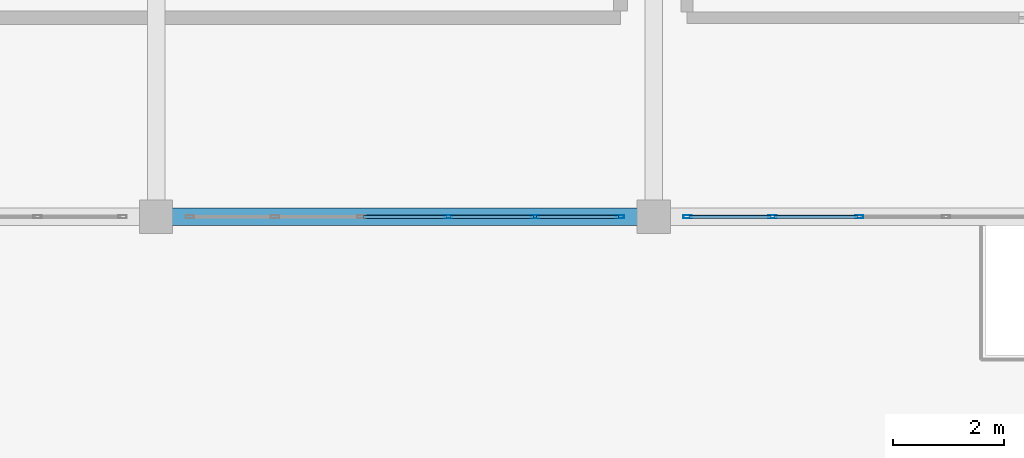
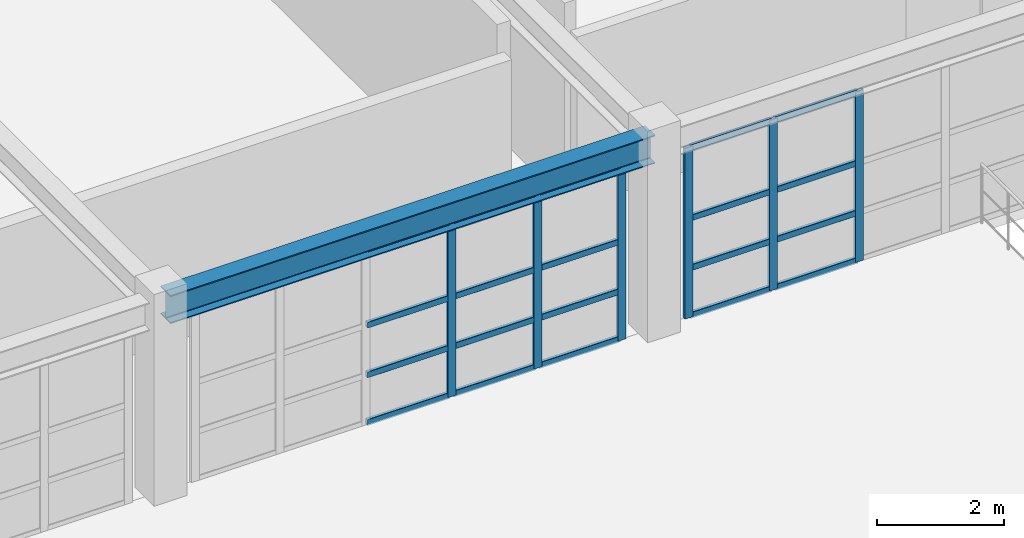
# One storey, part 52 of 80: 26 members, 1 beam, 2 elements without a shape of their own.
"""IFC4 building model written with IfcOpenShell, lengths in metres."""

from ifc_helpers import new_model, si_unit, direction, frame, origin, origin_2d, place, context, subcontext, project, spatial, hollow_rectangle, i_section, extrude, material, material_profile, profile_set, type_object, element, aggregate, save


model = new_model("IFC4")

# Units and contexts
model_context = context("Model", 3, precision=1e-05, world=origin(), true_north=direction((0.0, 1.0)))
body_context = subcontext(model_context, "Body", "Model", "MODEL_VIEW")
ifc_project = project(units=[si_unit("LENGTHUNIT", "METRE"), si_unit("AREAUNIT", "SQUARE_METRE"), si_unit("VOLUMEUNIT", "CUBIC_METRE"), si_unit("PLANEANGLEUNIT", "RADIAN"), si_unit("MASSUNIT", "GRAM", prefix="KILO")], contexts=[model_context])

# Site, building, storey
site_placement = place(None, origin())
site = spatial("IfcSite", under=ifc_project, at=site_placement, CompositionType="ELEMENT")
building_placement = place(site_placement, origin())
building = spatial("IfcBuilding", under=site, at=building_placement, Name="Miravela Opera House", CompositionType="ELEMENT")
storey_placement = place(building_placement, frame((0.0, 0.0, 17.679931640625)))
storey = spatial("IfcBuildingStorey", under=building, at=storey_placement, Name="L04", CompositionType="ELEMENT", Elevation=17.679931640625)

# Curtain wall, members
ifc_material_1 = material(Name="Anodised architectural bronze aluminium 6063-T6", Category="aluminium")
curtain_wall_type = type_object("IfcCurtainWallType", Name="ARC-CW-08", PredefinedType="NOTDEFINED", material=ifc_material_1)
curtain_wall_1_placement = place(storey_placement, origin())
curtain_wall_1 = element("IfcCurtainWall", 1, at=curtain_wall_1_placement, inside=storey, type_object=curtain_wall_type, Name="Courtyard Arcade Curtain Wall CW-L04-205", PredefinedType="NOTDEFINED")
ifc_material_profile_1 = material_profile(ifc_material_1, hollow_rectangle(XDim=0.06005859375, YDim=0.14990234375, WallThickness=0.00390625, InnerFilletRadius=0.001953125, OuterFilletRadius=0.00390625, at=origin_2d()), Name="CWM-60X150")
ifc_profile_set_1 = profile_set([ifc_material_profile_1])
member_type_1 = type_object("IfcMemberType", Name="ARC-CWM-150", PredefinedType="MULLION", material=ifc_profile_set_1)
member_1_placement = place(storey_placement, frame((95.283935546875, 94.0, 0.0), z_axis=(0.0, 0.0, 1.0), x_axis=(0.0, 1.0, 0.0)))
member_1 = element("IfcMember", 2, at=member_1_placement, type_object=member_type_1, Name="CW-08 mullion 4", PredefinedType="MULLION", context=body_context, shape_type="SweptSolid", body=[
    extrude(hollow_rectangle(XDim=0.06005859375, YDim=0.14990234375, WallThickness=0.00390625, InnerFilletRadius=0.001953125, OuterFilletRadius=0.00390625, at=origin_2d()), origin(), (0.0, 0.0, 1.0), 3.2900390625),
])
member_2_placement = place(storey_placement, frame((96.85205078125, 94.0, 0.0), z_axis=(0.0, 0.0, 1.0), x_axis=(0.0, 1.0, 0.0)))
member_2 = element("IfcMember", 3, at=member_2_placement, type_object=member_type_1, Name="CW-08 mullion 5", PredefinedType="MULLION", context=body_context, shape_type="SweptSolid", body=[
    extrude(hollow_rectangle(XDim=0.06005859375, YDim=0.14990234375, WallThickness=0.00390625, InnerFilletRadius=0.001953125, OuterFilletRadius=0.00390625, at=origin_2d()), origin(), (0.0, 0.0, 1.0), 3.2900390625),
])
member_3_placement = place(storey_placement, frame((98.389892578125, 94.0, 0.0), z_axis=(0.0, 0.0, 1.0), x_axis=(0.0, 1.0, 0.0)))
member_3 = element("IfcMember", 4, at=member_3_placement, type_object=member_type_1, Name="CW-08 mullion 6", PredefinedType="MULLION", context=body_context, shape_type="SweptSolid", body=[
    extrude(hollow_rectangle(XDim=0.06005859375, YDim=0.14990234375, WallThickness=0.00390625, InnerFilletRadius=0.001953125, OuterFilletRadius=0.00390625, at=origin_2d()), origin(), (0.0, 0.0, 1.0), 3.2900390625),
])

curtain_wall_2_placement = place(storey_placement, origin())
curtain_wall_2 = element("IfcCurtainWall", 5, at=curtain_wall_2_placement, inside=storey, type_object=curtain_wall_type, Name="Courtyard Arcade Curtain Wall CW-L04-206", PredefinedType="NOTDEFINED")
member_4_placement = place(storey_placement, frame((99.610107421875, 94.0, 0.0), z_axis=(0.0, 0.0, 1.0), x_axis=(0.0, 1.0, 0.0)))
member_4 = element("IfcMember", 6, at=member_4_placement, type_object=member_type_1, Name="CW-08 mullion 1", PredefinedType="MULLION", context=body_context, shape_type="SweptSolid", body=[
    extrude(hollow_rectangle(XDim=0.06005859375, YDim=0.14990234375, WallThickness=0.00390625, InnerFilletRadius=0.001953125, OuterFilletRadius=0.00390625, at=origin_2d()), origin(), (0.0, 0.0, 1.0), 3.2900390625),
])
member_5_placement = place(storey_placement, frame((101.14794921875, 94.0, 0.0), z_axis=(0.0, 0.0, 1.0), x_axis=(0.0, 1.0, 0.0)))
member_5 = element("IfcMember", 7, at=member_5_placement, type_object=member_type_1, Name="CW-08 mullion 2", PredefinedType="MULLION", context=body_context, shape_type="SweptSolid", body=[
    extrude(hollow_rectangle(XDim=0.06005859375, YDim=0.14990234375, WallThickness=0.00390625, InnerFilletRadius=0.001953125, OuterFilletRadius=0.00390625, at=origin_2d()), origin(), (0.0, 0.0, 1.0), 3.2900390625),
])
member_6_placement = place(storey_placement, frame((102.716064453125, 94.0, 0.0), z_axis=(0.0, 0.0, 1.0), x_axis=(0.0, 1.0, 0.0)))
member_6 = element("IfcMember", 8, at=member_6_placement, type_object=member_type_1, Name="CW-08 mullion 3", PredefinedType="MULLION", context=body_context, shape_type="SweptSolid", body=[
    extrude(hollow_rectangle(XDim=0.06005859375, YDim=0.14990234375, WallThickness=0.00390625, InnerFilletRadius=0.001953125, OuterFilletRadius=0.00390625, at=origin_2d()), origin(), (0.0, 0.0, 1.0), 3.2900390625),
])

# Member
ifc_material_profile_2 = material_profile(ifc_material_1, hollow_rectangle(XDim=0.06005859375, YDim=0.114990234375, WallThickness=0.00390625, InnerFilletRadius=0.001953125, OuterFilletRadius=0.00390625, at=origin_2d()), Name="CWT-60X115")
ifc_profile_set_2 = profile_set([ifc_material_profile_2])
member_type_2 = type_object("IfcMemberType", Name="ARC-CWT-115", PredefinedType="USERDEFINED", material=ifc_profile_set_2)
member_7_placement = place(storey_placement, frame((93.74609375, 94.0, 0.030029296875), z_axis=(1.0, 0.0, 0.0), x_axis=(0.0, 1.0, 0.0)))
member_7 = element("IfcMember", 9, at=member_7_placement, type_object=member_type_2, Name="CW-08 transom 3.1", ObjectType="TRANSOM", PredefinedType="USERDEFINED", context=body_context, shape_type="SweptSolid", body=[
    extrude(hollow_rectangle(XDim=0.06005859375, YDim=0.114990234375, WallThickness=0.00390625, InnerFilletRadius=0.001953125, OuterFilletRadius=0.00390625, at=origin_2d()), origin(), (0.0, 0.0, 1.0), 1.5078125),
])

member_8_placement = place(storey_placement, frame((93.74609375, 94.0, 0.949951171875), z_axis=(1.0, 0.0, 0.0), x_axis=(0.0, 1.0, 0.0)))
member_8 = element("IfcMember", 10, at=member_8_placement, type_object=member_type_2, Name="CW-08 transom 3.2", ObjectType="TRANSOM", PredefinedType="USERDEFINED", context=body_context, shape_type="SweptSolid", body=[
    extrude(hollow_rectangle(XDim=0.06005859375, YDim=0.114990234375, WallThickness=0.00390625, InnerFilletRadius=0.001953125, OuterFilletRadius=0.00390625, at=origin_2d()), origin(), (0.0, 0.0, 1.0), 1.5078125),
])

member_9_placement = place(storey_placement, frame((93.74609375, 94.0, 1.908203125), z_axis=(1.0, 0.0, 0.0), x_axis=(0.0, 1.0, 0.0)))
member_9 = element("IfcMember", 11, at=member_9_placement, type_object=member_type_2, Name="CW-08 transom 3.3", ObjectType="TRANSOM", PredefinedType="USERDEFINED", context=body_context, shape_type="SweptSolid", body=[
    extrude(hollow_rectangle(XDim=0.06005859375, YDim=0.114990234375, WallThickness=0.00390625, InnerFilletRadius=0.001953125, OuterFilletRadius=0.00390625, at=origin_2d()), origin(), (0.0, 0.0, 1.0), 1.5078125),
])

member_10_placement = place(storey_placement, frame((93.74609375, 94.0, 3.260009765625), z_axis=(1.0, 0.0, 0.0), x_axis=(0.0, 1.0, 0.0)))
member_10 = element("IfcMember", 12, at=member_10_placement, type_object=member_type_2, Name="CW-08 transom 3.4", ObjectType="TRANSOM", PredefinedType="USERDEFINED", context=body_context, shape_type="SweptSolid", body=[
    extrude(hollow_rectangle(XDim=0.06005859375, YDim=0.114990234375, WallThickness=0.00390625, InnerFilletRadius=0.001953125, OuterFilletRadius=0.00390625, at=origin_2d()), origin(), (0.0, 0.0, 1.0), 1.5078125),
])

member_11_placement = place(storey_placement, frame((95.31396484375, 94.0, 0.030029296875), z_axis=(1.0, 0.0, 0.0), x_axis=(0.0, 1.0, 0.0)))
member_11 = element("IfcMember", 13, at=member_11_placement, type_object=member_type_2, Name="CW-08 transom 4.1", ObjectType="TRANSOM", PredefinedType="USERDEFINED", context=body_context, shape_type="SweptSolid", body=[
    extrude(hollow_rectangle(XDim=0.06005859375, YDim=0.114990234375, WallThickness=0.00390625, InnerFilletRadius=0.001953125, OuterFilletRadius=0.00390625, at=origin_2d()), origin(), (0.0, 0.0, 1.0), 1.508056640625),
])

member_12_placement = place(storey_placement, frame((95.31396484375, 94.0, 0.949951171875), z_axis=(1.0, 0.0, 0.0), x_axis=(0.0, 1.0, 0.0)))
member_12 = element("IfcMember", 14, at=member_12_placement, type_object=member_type_2, Name="CW-08 transom 4.2", ObjectType="TRANSOM", PredefinedType="USERDEFINED", context=body_context, shape_type="SweptSolid", body=[
    extrude(hollow_rectangle(XDim=0.06005859375, YDim=0.114990234375, WallThickness=0.00390625, InnerFilletRadius=0.001953125, OuterFilletRadius=0.00390625, at=origin_2d()), origin(), (0.0, 0.0, 1.0), 1.508056640625),
])

member_13_placement = place(storey_placement, frame((95.31396484375, 94.0, 1.908203125), z_axis=(1.0, 0.0, 0.0), x_axis=(0.0, 1.0, 0.0)))
member_13 = element("IfcMember", 15, at=member_13_placement, type_object=member_type_2, Name="CW-08 transom 4.3", ObjectType="TRANSOM", PredefinedType="USERDEFINED", context=body_context, shape_type="SweptSolid", body=[
    extrude(hollow_rectangle(XDim=0.06005859375, YDim=0.114990234375, WallThickness=0.00390625, InnerFilletRadius=0.001953125, OuterFilletRadius=0.00390625, at=origin_2d()), origin(), (0.0, 0.0, 1.0), 1.508056640625),
])

member_14_placement = place(storey_placement, frame((95.31396484375, 94.0, 3.260009765625), z_axis=(1.0, 0.0, 0.0), x_axis=(0.0, 1.0, 0.0)))
member_14 = element("IfcMember", 16, at=member_14_placement, type_object=member_type_2, Name="CW-08 transom 4.4", ObjectType="TRANSOM", PredefinedType="USERDEFINED", context=body_context, shape_type="SweptSolid", body=[
    extrude(hollow_rectangle(XDim=0.06005859375, YDim=0.114990234375, WallThickness=0.00390625, InnerFilletRadius=0.001953125, OuterFilletRadius=0.00390625, at=origin_2d()), origin(), (0.0, 0.0, 1.0), 1.508056640625),
])

member_15_placement = place(storey_placement, frame((96.882080078125, 94.0, 0.030029296875), z_axis=(1.0, 0.0, 0.0), x_axis=(0.0, 1.0, 0.0)))
member_15 = element("IfcMember", 17, at=member_15_placement, type_object=member_type_2, Name="CW-08 transom 5.1", ObjectType="TRANSOM", PredefinedType="USERDEFINED", context=body_context, shape_type="SweptSolid", body=[
    extrude(hollow_rectangle(XDim=0.06005859375, YDim=0.114990234375, WallThickness=0.00390625, InnerFilletRadius=0.001953125, OuterFilletRadius=0.00390625, at=origin_2d()), origin(), (0.0, 0.0, 1.0), 1.47802734375),
])

member_16_placement = place(storey_placement, frame((96.882080078125, 94.0, 0.949951171875), z_axis=(1.0, 0.0, 0.0), x_axis=(0.0, 1.0, 0.0)))
member_16 = element("IfcMember", 18, at=member_16_placement, type_object=member_type_2, Name="CW-08 transom 5.2", ObjectType="TRANSOM", PredefinedType="USERDEFINED", context=body_context, shape_type="SweptSolid", body=[
    extrude(hollow_rectangle(XDim=0.06005859375, YDim=0.114990234375, WallThickness=0.00390625, InnerFilletRadius=0.001953125, OuterFilletRadius=0.00390625, at=origin_2d()), origin(), (0.0, 0.0, 1.0), 1.47802734375),
])

member_17_placement = place(storey_placement, frame((96.882080078125, 94.0, 1.908203125), z_axis=(1.0, 0.0, 0.0), x_axis=(0.0, 1.0, 0.0)))
member_17 = element("IfcMember", 19, at=member_17_placement, type_object=member_type_2, Name="CW-08 transom 5.3", ObjectType="TRANSOM", PredefinedType="USERDEFINED", context=body_context, shape_type="SweptSolid", body=[
    extrude(hollow_rectangle(XDim=0.06005859375, YDim=0.114990234375, WallThickness=0.00390625, InnerFilletRadius=0.001953125, OuterFilletRadius=0.00390625, at=origin_2d()), origin(), (0.0, 0.0, 1.0), 1.47802734375),
])

member_18_placement = place(storey_placement, frame((96.882080078125, 94.0, 3.260009765625), z_axis=(1.0, 0.0, 0.0), x_axis=(0.0, 1.0, 0.0)))
member_18 = element("IfcMember", 20, at=member_18_placement, type_object=member_type_2, Name="CW-08 transom 5.4", ObjectType="TRANSOM", PredefinedType="USERDEFINED", context=body_context, shape_type="SweptSolid", body=[
    extrude(hollow_rectangle(XDim=0.06005859375, YDim=0.114990234375, WallThickness=0.00390625, InnerFilletRadius=0.001953125, OuterFilletRadius=0.00390625, at=origin_2d()), origin(), (0.0, 0.0, 1.0), 1.47802734375),
])

aggregate(curtain_wall_1, [member_1, member_2, member_3, member_7, member_8, member_9, member_10, member_11, member_12, member_13, member_14, member_15, member_16, member_17, member_18])

member_19_placement = place(storey_placement, frame((99.639892578125, 94.0, 0.030029296875), z_axis=(1.0, 0.0, 0.0), x_axis=(0.0, 1.0, 0.0)))
member_19 = element("IfcMember", 21, at=member_19_placement, type_object=member_type_2, Name="CW-08 transom 1.1", ObjectType="TRANSOM", PredefinedType="USERDEFINED", context=body_context, shape_type="SweptSolid", body=[
    extrude(hollow_rectangle(XDim=0.06005859375, YDim=0.114990234375, WallThickness=0.00390625, InnerFilletRadius=0.001953125, OuterFilletRadius=0.00390625, at=origin_2d()), origin(), (0.0, 0.0, 1.0), 1.47802734375),
])

member_20_placement = place(storey_placement, frame((99.639892578125, 94.0, 0.949951171875), z_axis=(1.0, 0.0, 0.0), x_axis=(0.0, 1.0, 0.0)))
member_20 = element("IfcMember", 22, at=member_20_placement, type_object=member_type_2, Name="CW-08 transom 1.2", ObjectType="TRANSOM", PredefinedType="USERDEFINED", context=body_context, shape_type="SweptSolid", body=[
    extrude(hollow_rectangle(XDim=0.06005859375, YDim=0.114990234375, WallThickness=0.00390625, InnerFilletRadius=0.001953125, OuterFilletRadius=0.00390625, at=origin_2d()), origin(), (0.0, 0.0, 1.0), 1.47802734375),
])

member_21_placement = place(storey_placement, frame((99.639892578125, 94.0, 1.908203125), z_axis=(1.0, 0.0, 0.0), x_axis=(0.0, 1.0, 0.0)))
member_21 = element("IfcMember", 23, at=member_21_placement, type_object=member_type_2, Name="CW-08 transom 1.3", ObjectType="TRANSOM", PredefinedType="USERDEFINED", context=body_context, shape_type="SweptSolid", body=[
    extrude(hollow_rectangle(XDim=0.06005859375, YDim=0.114990234375, WallThickness=0.00390625, InnerFilletRadius=0.001953125, OuterFilletRadius=0.00390625, at=origin_2d()), origin(), (0.0, 0.0, 1.0), 1.47802734375),
])

member_22_placement = place(storey_placement, frame((99.639892578125, 94.0, 3.260009765625), z_axis=(1.0, 0.0, 0.0), x_axis=(0.0, 1.0, 0.0)))
member_22 = element("IfcMember", 24, at=member_22_placement, type_object=member_type_2, Name="CW-08 transom 1.4", ObjectType="TRANSOM", PredefinedType="USERDEFINED", context=body_context, shape_type="SweptSolid", body=[
    extrude(hollow_rectangle(XDim=0.06005859375, YDim=0.114990234375, WallThickness=0.00390625, InnerFilletRadius=0.001953125, OuterFilletRadius=0.00390625, at=origin_2d()), origin(), (0.0, 0.0, 1.0), 1.47802734375),
])

member_23_placement = place(storey_placement, frame((101.177978515625, 94.0, 0.030029296875), z_axis=(1.0, 0.0, 0.0), x_axis=(0.0, 1.0, 0.0)))
member_23 = element("IfcMember", 25, at=member_23_placement, type_object=member_type_2, Name="CW-08 transom 2.1", ObjectType="TRANSOM", PredefinedType="USERDEFINED", context=body_context, shape_type="SweptSolid", body=[
    extrude(hollow_rectangle(XDim=0.06005859375, YDim=0.114990234375, WallThickness=0.00390625, InnerFilletRadius=0.001953125, OuterFilletRadius=0.00390625, at=origin_2d()), origin(), (0.0, 0.0, 1.0), 1.508056640625),
])

member_24_placement = place(storey_placement, frame((101.177978515625, 94.0, 0.949951171875), z_axis=(1.0, 0.0, 0.0), x_axis=(0.0, 1.0, 0.0)))
member_24 = element("IfcMember", 26, at=member_24_placement, type_object=member_type_2, Name="CW-08 transom 2.2", ObjectType="TRANSOM", PredefinedType="USERDEFINED", context=body_context, shape_type="SweptSolid", body=[
    extrude(hollow_rectangle(XDim=0.06005859375, YDim=0.114990234375, WallThickness=0.00390625, InnerFilletRadius=0.001953125, OuterFilletRadius=0.00390625, at=origin_2d()), origin(), (0.0, 0.0, 1.0), 1.508056640625),
])

member_25_placement = place(storey_placement, frame((101.177978515625, 94.0, 1.908203125), z_axis=(1.0, 0.0, 0.0), x_axis=(0.0, 1.0, 0.0)))
member_25 = element("IfcMember", 27, at=member_25_placement, type_object=member_type_2, Name="CW-08 transom 2.3", ObjectType="TRANSOM", PredefinedType="USERDEFINED", context=body_context, shape_type="SweptSolid", body=[
    extrude(hollow_rectangle(XDim=0.06005859375, YDim=0.114990234375, WallThickness=0.00390625, InnerFilletRadius=0.001953125, OuterFilletRadius=0.00390625, at=origin_2d()), origin(), (0.0, 0.0, 1.0), 1.508056640625),
])

member_26_placement = place(storey_placement, frame((101.177978515625, 94.0, 3.260009765625), z_axis=(1.0, 0.0, 0.0), x_axis=(0.0, 1.0, 0.0)))
member_26 = element("IfcMember", 28, at=member_26_placement, type_object=member_type_2, Name="CW-08 transom 2.4", ObjectType="TRANSOM", PredefinedType="USERDEFINED", context=body_context, shape_type="SweptSolid", body=[
    extrude(hollow_rectangle(XDim=0.06005859375, YDim=0.114990234375, WallThickness=0.00390625, InnerFilletRadius=0.001953125, OuterFilletRadius=0.00390625, at=origin_2d()), origin(), (0.0, 0.0, 1.0), 1.508056640625),
])

aggregate(curtain_wall_2, [member_4, member_5, member_6, member_19, member_20, member_21, member_22, member_23, member_24, member_25, member_26])

# Beam
ifc_material_2 = material(Name="Structural steel ASTM A992 Gr. 50", Category="steel")
ifc_material_profile_3 = material_profile(ifc_material_2, i_section(OverallWidth=0.31201171875, OverallDepth=0.54296875, WebThickness=0.0126953125, FlangeThickness=0.020263671875, FilletRadius=0.01611328125, at=origin_2d()), Name="W530X150")
ifc_profile_set_3 = profile_set([ifc_material_profile_3])
beam_type = type_object("IfcBeamType", Name="STR-BM-W530X150", PredefinedType="BEAM", material=ifc_profile_set_3)
beam_placement = place(storey_placement, frame((90.080078125, 94.0, 3.568603515625), z_axis=(1.0, 0.0, 0.0), x_axis=(0.0, 1.0, 0.0)))
element("IfcBeam", 29, at=beam_placement, inside=storey, type_object=beam_type, Name="Roof Eave Girder ROOF-V3-TOP S4", PredefinedType="BEAM", context=body_context, shape_type="SweptSolid", body=[
    extrude(i_section(OverallWidth=0.31201171875, OverallDepth=0.54296875, WebThickness=0.0126953125, FlangeThickness=0.020263671875, FilletRadius=0.01611328125, at=origin_2d()), origin(), (0.0, 0.0, 1.0), 8.83984375),
])

save(model, "model.ifc")
